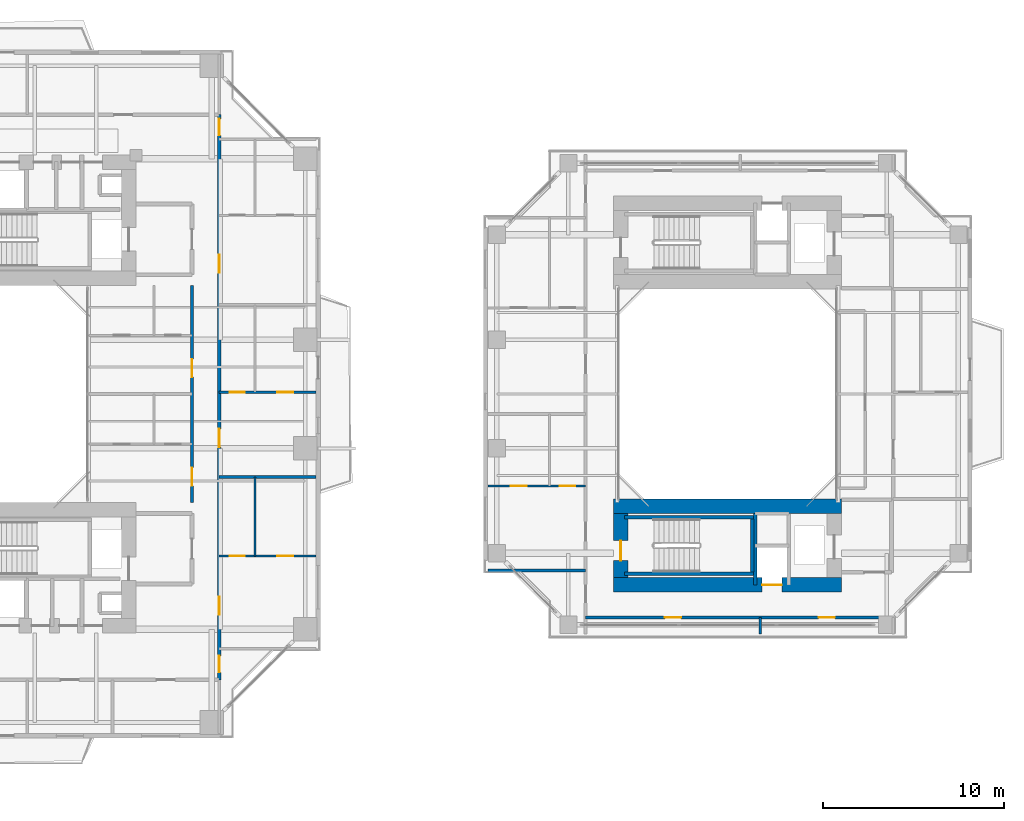
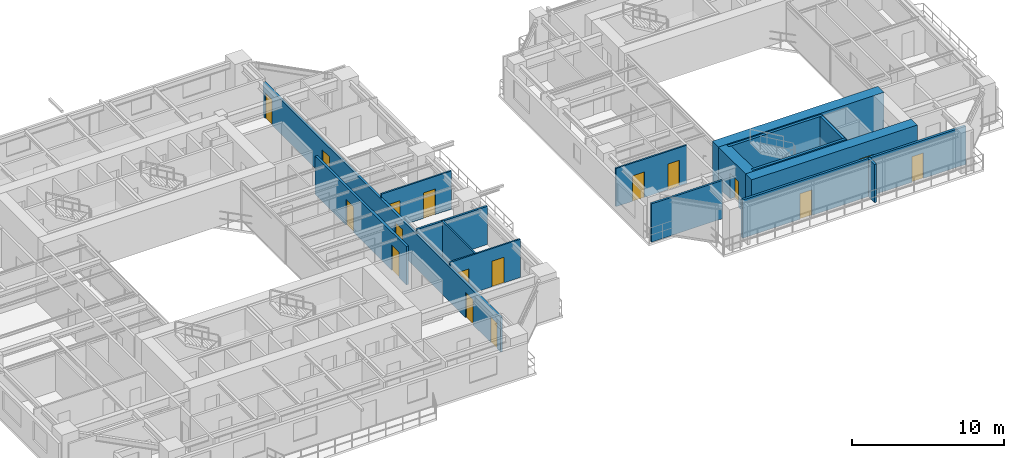
# One storey, part 14 of 22: 17 doors, 17 walls, 17 openings.
"""IFC4 building model written with IfcOpenShell, lengths in metres."""

import ifcopenshell
import ifcopenshell.guid

model = None  # the IFC model being written
_history = None  # IfcOwnerHistory: only IFC2X3 demands one
_inside = {}  # id of a spatial element -> (the spatial element, [elements in it])
_under = {}  # id of a project, library or spatial element -> (it, [spatial elements below it])
_declared = {}  # id of a project -> (the project, [libraries it declares])
_typed = {}  # id of a type object -> (the type object, [elements of that type])
_made_of = {}  # id of a material, layer set ... -> (it, [elements and type objects made of it])


def new_model(schema):
    """Start an empty IFC model of exactly this schema.

    Asked for "IFC4X3", IfcOpenShell would pick the latest addendum, in which some entities
    have other attributes; the version numbers below select the first issue.
    IFC2X3 requires an IfcOwnerHistory on every rooted entity: one is made here for all.
    """
    global model, _history
    if schema == "IFC4X3":
        model = ifcopenshell.file(schema_version=(4, 3, 0, 0))
    else:
        model = ifcopenshell.file(schema=schema)
    _inside.clear()
    _under.clear()
    _declared.clear()
    _typed.clear()
    _made_of.clear()
    _history = None
    if model.schema == "IFC2X3":
        org = make("IfcOrganization", Name="unknown")
        user = make(
            "IfcPersonAndOrganization",
            ThePerson=make("IfcPerson", FamilyName="unknown"),
            TheOrganization=org,
        )
        app = make(
            "IfcApplication",
            ApplicationDeveloper=org,
            Version="unknown",
            ApplicationFullName="unknown",
            ApplicationIdentifier="unknown",
        )
        _history = make(
            "IfcOwnerHistory",
            OwningUser=user,
            OwningApplication=app,
            ChangeAction="ADDED",
            CreationDate=0,
        )
    return model


def make(cls, **values):
    """One entity of the class cls with the attributes given. An attribute that is None is left unset."""
    return model.create_entity(
        cls, **{name: value for name, value in values.items() if value is not None}
    )


def rooted(cls, **values):
    """An entity with a GlobalId (a new one), such as an element, a storey or a relation."""
    return make(cls, GlobalId=ifcopenshell.guid.new(), OwnerHistory=_history, **values)


def si_unit(unit_type, name, prefix=None):
    """IfcSIUnit, for example si_unit("LENGTHUNIT", "METRE", prefix="MILLI")."""
    return make("IfcSIUnit", UnitType=unit_type, Prefix=prefix, Name=name)


def assignment(units):
    """IfcUnitAssignment: the units of a project."""
    return None if units is None else make("IfcUnitAssignment", Units=units)


def point(xyz):
    """IfcCartesianPoint."""
    return None if xyz is None else make("IfcCartesianPoint", Coordinates=xyz)


def direction(xyz):
    """IfcDirection."""
    return None if xyz is None else make("IfcDirection", DirectionRatios=xyz)


def frame(location, z_axis=None, x_axis=None):
    """IfcAxis2Placement3D, a coordinate frame: its origin and axes. An axis left out is left unset."""
    return make(
        "IfcAxis2Placement3D",
        Location=point(location),
        Axis=direction(z_axis),
        RefDirection=direction(x_axis),
    )


def frame_2d(location, x_axis=None):
    """IfcAxis2Placement2D, a coordinate frame in the plane: its origin and x axis."""
    return make(
        "IfcAxis2Placement2D", Location=point(location), RefDirection=direction(x_axis)
    )


def origin():
    """The frame at (0, 0, 0) with its axes left unset."""
    return frame((0.0, 0.0, 0.0))


def place(relative_to, where):
    """IfcLocalPlacement: puts the frame where relative to a parent placement (None: the world)."""
    return make(
        "IfcLocalPlacement", PlacementRelTo=relative_to, RelativePlacement=where
    )


def context(
    kind, dimensions, precision=None, world=None, true_north=None, identifier=None
):
    """IfcGeometricRepresentationContext, for example the 3D "Model" context."""
    return make(
        "IfcGeometricRepresentationContext",
        ContextIdentifier=identifier,
        ContextType=kind,
        CoordinateSpaceDimension=dimensions,
        Precision=precision,
        WorldCoordinateSystem=world,
        TrueNorth=true_north,
    )


def subcontext(parent, identifier, kind, view, scale=None):
    """IfcGeometricRepresentationSubContext, for example "Body" below "Model"."""
    return make(
        "IfcGeometricRepresentationSubContext",
        ContextIdentifier=identifier,
        ContextType=kind,
        ParentContext=parent,
        TargetScale=scale,
        TargetView=view,
    )


def project(units=None, contexts=None):
    """IfcProject with its units and contexts."""
    return rooted(
        "IfcProject",
        Name="project",
        RepresentationContexts=contexts,
        UnitsInContext=assignment(units),
    )


def spatial(cls, under=None, at=None, **own):
    """A site, building, storey or space (cls), placed at a placement, below another one or the project."""
    s = rooted(cls, ObjectPlacement=at, **own)
    if under is not None:
        _under.setdefault(under.id(), (under, []))[1].append(s)
    return s


def profile(cls, at=None, kind="AREA", **sizes):
    """A parametric profile (cls). Its sizes go by their IFC names, for example OverallWidth=200.0."""
    return make(cls, ProfileType=kind, Position=at, **sizes)


def rectangle(**sizes):
    """IfcRectangleProfileDef."""
    return profile("IfcRectangleProfileDef", **sizes)


def extrude(swept, where, along, depth):
    """IfcExtrudedAreaSolid: the profile swept, set in the frame where, extruded along a direction by depth."""
    return make(
        "IfcExtrudedAreaSolid",
        SweptArea=swept,
        Position=where,
        ExtrudedDirection=direction(along),
        Depth=depth,
    )


def shape(context_of_items, identifier, shape_type, items):
    """IfcShapeRepresentation: the items that make up one representation, for example the "Body"."""
    return make(
        "IfcShapeRepresentation",
        ContextOfItems=context_of_items,
        RepresentationIdentifier=identifier,
        RepresentationType=shape_type,
        Items=items,
    )


def source(mapping_origin, context_of_items, identifier, shape_type, items):
    """IfcRepresentationMap: a shape defined once, which mapped items show again and again."""
    return make(
        "IfcRepresentationMap",
        MappingOrigin=mapping_origin,
        MappedRepresentation=shape(context_of_items, identifier, shape_type, items),
    )


def transform(
    local_origin,
    x_axis=None,
    y_axis=None,
    z_axis=None,
    scale=None,
    scale2=None,
    scale3=None,
    uniform=True,
):
    """IfcCartesianTransformationOperator3D, or its non-uniform kind. x_axis, y_axis, z_axis: its Axis1, 2, 3."""
    if uniform:
        return make(
            "IfcCartesianTransformationOperator3D",
            Axis1=direction(x_axis),
            Axis2=direction(y_axis),
            LocalOrigin=point(local_origin),
            Scale=scale,
            Axis3=direction(z_axis),
        )
    return make(
        "IfcCartesianTransformationOperator3DnonUniform",
        Axis1=direction(x_axis),
        Axis2=direction(y_axis),
        LocalOrigin=point(local_origin),
        Scale=scale,
        Axis3=direction(z_axis),
        Scale2=scale2,
        Scale3=scale3,
    )


def mapped(mapping_source, mapping_target):
    """IfcMappedItem: shows the shape of a source again, moved by a transform."""
    return make(
        "IfcMappedItem", MappingSource=mapping_source, MappingTarget=mapping_target
    )


def material(Name=None, Category=None):
    """IfcMaterial."""
    return make("IfcMaterial", Name=Name, Category=Category)


def layer(
    of_material, thickness, ventilated=None, Name=None, Category=None, Priority=None
):
    """IfcMaterialLayer: one layer of a wall or slab, of a material (None: an air gap)."""
    return make(
        "IfcMaterialLayer",
        Material=of_material,
        LayerThickness=thickness,
        IsVentilated=ventilated,
        Name=Name,
        Category=Category,
        Priority=Priority,
    )


def layer_set(layers, Name=None):
    """IfcMaterialLayerSet."""
    return make("IfcMaterialLayerSet", MaterialLayers=layers, LayerSetName=Name)


def made_of(thing, what):
    """Note that an element or type object is made of a material, layer set ...; save() writes the relation."""
    if what is not None:
        _made_of.setdefault(what.id(), (what, []))[1].append(thing)
    return thing


def type_object(cls, material=None, **own):
    """A type object (cls), such as IfcWallType, which elements share."""
    return made_of(rooted(cls, **own), material)


def element(
    cls,
    number,
    at=None,
    inside=None,
    cuts=None,
    type_object=None,
    material=None,
    context=None,
    identifier="Body",
    shape_type=None,
    held_by="IfcProductDefinitionShape",
    body=None,
    shapes=None,
    **own,
):
    """One element of the class cls, such as IfcWall. Its Tag is "e" and its number.

    at: its placement. inside: the storey or other place that contains it. cuts: it is an
    opening in that element (IfcRelVoidsElement). A single representation is given by context,
    identifier, shape_type and body (its items); several are given by shapes. held_by: the class
    of the entity that holds the representations. save() writes the other relations.
    """
    e = rooted(cls, Tag="e%d" % number, ObjectPlacement=at, **own)
    if body is not None:
        shapes = [shape(context, identifier, shape_type, body)]
    if shapes is not None:
        e.Representation = make(held_by, Representations=shapes)
    if inside is not None:
        _inside.setdefault(inside.id(), (inside, []))[1].append(e)
    if cuts is not None:
        rooted(
            "IfcRelVoidsElement", RelatingBuildingElement=cuts, RelatedOpeningElement=e
        )
    if type_object is not None:
        _typed.setdefault(type_object.id(), (type_object, []))[1].append(e)
    return made_of(e, material)


def fill(opening, filler):
    """IfcRelFillsElement: the door or window that sits in an opening."""
    return rooted(
        "IfcRelFillsElement",
        RelatingOpeningElement=opening,
        RelatedBuildingElement=filler,
    )


def aggregate(whole, parts):
    """IfcRelAggregates: a whole, such as a stair, and the parts it consists of."""
    return rooted("IfcRelAggregates", RelatingObject=whole, RelatedObjects=parts)


def save(model, path):
    """Write the relations noted so far, then the file.

    IfcRelAggregates (storeys below a building ...), IfcRelContainedInSpatialStructure (elements
    in a storey), IfcRelDefinesByType, IfcRelAssociatesMaterial and IfcRelDeclares: one each for
    every whole, place, type object, material and project.
    """
    for whole, parts in _under.values():
        aggregate(whole, parts)
    for where, things in _inside.values():
        rooted(
            "IfcRelContainedInSpatialStructure",
            RelatedElements=things,
            RelatingStructure=where,
        )
    for kind, things in _typed.values():
        rooted("IfcRelDefinesByType", RelatedObjects=things, RelatingType=kind)
    for what, things in _made_of.values():
        rooted("IfcRelAssociatesMaterial", RelatedObjects=things, RelatingMaterial=what)
    for by, libraries in _declared.values():
        rooted("IfcRelDeclares", RelatingContext=by, RelatedDefinitions=libraries)
    model.write(path)


model = new_model("IFC4")

# Units and contexts
model_context = context("Model", 3, precision=1e-05, world=origin(), true_north=direction((0.0, 1.0)))
body_context = subcontext(model_context, "Body", "Model", "MODEL_VIEW")
ifc_project = project(units=[si_unit("LENGTHUNIT", "METRE"), si_unit("AREAUNIT", "SQUARE_METRE"), si_unit("VOLUMEUNIT", "CUBIC_METRE"), si_unit("PLANEANGLEUNIT", "RADIAN"), si_unit("MASSUNIT", "GRAM", prefix="KILO"), si_unit("THERMODYNAMICTEMPERATUREUNIT", "KELVIN"), si_unit("POWERUNIT", "WATT")], contexts=[model_context])

# Site, building, storey
site_placement = place(None, origin())
site = spatial("IfcSite", under=ifc_project, at=site_placement, CompositionType="ELEMENT")
building_placement = place(site_placement, origin())
building = spatial("IfcBuilding", under=site, at=building_placement, Name="Qiaomeng Ring Towers", CompositionType="ELEMENT")
storey_placement = place(building_placement, frame((0.0, 0.0, 53.5)))
storey = spatial("IfcBuildingStorey", under=building, at=storey_placement, Name="L14", CompositionType="ELEMENT", Elevation=53.5)

# Wall, openings, doors
ifc_material_1 = material(Name="Autoclaved aerated concrete block", Category="concrete")
ifc_layer_1 = layer(ifc_material_1, 0.179931640625, Name="Autoclaved aerated concrete block")
ifc_layer_set_1 = layer_set([ifc_layer_1], Name="Autoclaved aerated concrete block")
wall_type_1 = type_object("IfcWallType", Name="ARC-WL-PW2", PredefinedType="PARTITIONING", material=ifc_layer_set_1)
wall_1_placement = place(storey_placement, frame((32.39990234375, 7.2099609375, 0.0), z_axis=(0.0, 0.0, 1.0), x_axis=(0.0, 1.0, 0.0)))
wall_1 = element("IfcWall", 1, at=wall_1_placement, inside=storey, type_object=wall_type_1, Name="L14 Interior Wall PW2", PredefinedType="PARTITIONING", context=body_context, shape_type="SweptSolid", body=[
    extrude(rectangle(XDim=31.22998046875, YDim=0.179931640625, at=frame_2d((15.614990234375, 0.0))), origin(), (0.0, 0.0, 1.0), 2.77099609375),
])
opening_1_placement = place(wall_1_placement, frame((30.090087890625, 0.0, 0.0)))
opening_1 = element("IfcOpeningElement", 2, at=opening_1_placement, cuts=wall_1, Name="Opening ID1", PredefinedType="OPENING", context=body_context, shape_type="SweptSolid", body=[
    extrude(rectangle(XDim=0.89990234375, YDim=2.050048828125, at=frame_2d((0.449951171875, 1.02490234375))), frame((0.0, 0.099853515625, 0.0), z_axis=(0.0, -1.0, 0.0), x_axis=(1.0, 0.0, 0.0)), (0.0, 0.0, 1.0), 0.199951171875),
])
opening_2_placement = place(wall_1_placement, frame((0.4150390625, 0.0, 0.0)))
opening_2 = element("IfcOpeningElement", 3, at=opening_2_placement, cuts=wall_1, Name="Opening ID1", PredefinedType="OPENING", context=body_context, shape_type="SweptSolid", body=[
    extrude(rectangle(XDim=0.89990234375, YDim=2.050048828125, at=frame_2d((0.449951171875, 1.02490234375))), frame((0.0, 0.099853515625, 0.0), z_axis=(0.0, -1.0, 0.0), x_axis=(1.0, 0.0, 0.0)), (0.0, 0.0, 1.0), 0.199951171875),
])
opening_3_placement = place(wall_1_placement, frame((3.5849609375, 0.0, 0.0)))
opening_3 = element("IfcOpeningElement", 4, at=opening_3_placement, cuts=wall_1, Name="Opening FD4", PredefinedType="OPENING", context=body_context, shape_type="SweptSolid", body=[
    extrude(rectangle(XDim=1.0, YDim=2.050048828125, at=frame_2d((0.5, 1.02490234375))), frame((0.0, 0.099853515625, 0.0), z_axis=(0.0, -1.0, 0.0), x_axis=(1.0, 0.0, 0.0)), (0.0, 0.0, 1.0), 0.199951171875),
])
opening_4_placement = place(wall_1_placement, frame((12.860107421875, 0.0, 0.0)))
opening_4 = element("IfcOpeningElement", 5, at=opening_4_placement, cuts=wall_1, Name="Opening FD4", PredefinedType="OPENING", context=body_context, shape_type="SweptSolid", body=[
    extrude(rectangle(XDim=1.0, YDim=2.050048828125, at=frame_2d((0.5, 1.02490234375))), frame((0.0, 0.099853515625, 0.0), z_axis=(0.0, -1.0, 0.0), x_axis=(1.0, 0.0, 0.0)), (0.0, 0.0, 1.0), 0.199951171875),
])
opening_5_placement = place(wall_1_placement, frame((22.5, 0.0, 0.0)))
opening_5 = element("IfcOpeningElement", 6, at=opening_5_placement, cuts=wall_1, Name="Opening FD4", PredefinedType="OPENING", context=body_context, shape_type="SweptSolid", body=[
    extrude(rectangle(XDim=1.0, YDim=2.050048828125, at=frame_2d((0.5, 1.02490234375))), frame((0.0, 0.099853515625, 0.0), z_axis=(0.0, -1.0, 0.0), x_axis=(1.0, 0.0, 0.0)), (0.0, 0.0, 1.0), 0.199951171875),
])
ifc_material_2 = material(Name="Engineered fire-rated oak timber", Category="wood")
door_type_1 = type_object("IfcDoorType", Name="ARC-DR-FD4", OperationType="NOTDEFINED", PredefinedType="DOOR", material=ifc_material_2)
shared_shape_1 = source(origin(), body_context, "Body", "SweptSolid", [
    extrude(rectangle(XDim=1.0, YDim=2.050048828125, at=frame_2d((0.5, 1.02490234375))), frame((0.0, 0.02490234375, 0.0), z_axis=(0.0, -1.0, 0.0), x_axis=(1.0, 0.0, 0.0)), (0.0, 0.0, 1.0), 0.050048828125),
])
door_1_placement = place(opening_3_placement, origin())
door_1 = element("IfcDoor", 7, at=door_1_placement, inside=storey, type_object=door_type_1, Name="L14 Door FD4", OperationType="SINGLE_SWING_RIGHT", OverallHeight=2.050048828125, OverallWidth=1.0, PredefinedType="DOOR", context=body_context, shape_type="MappedRepresentation", body=[
    mapped(shared_shape_1, transform((0.0, 0.0, 0.0), x_axis=(1.0, 0.0, 0.0), y_axis=(0.0, 1.0, 0.0), z_axis=(0.0, 0.0, 1.0), scale=1.0)),
])
fill(opening_3, door_1)
door_2_placement = place(opening_4_placement, origin())
door_2 = element("IfcDoor", 8, at=door_2_placement, inside=storey, type_object=door_type_1, Name="L14 Door FD4", OperationType="SINGLE_SWING_LEFT", OverallHeight=2.050048828125, OverallWidth=1.0, PredefinedType="DOOR", context=body_context, shape_type="MappedRepresentation", body=[
    mapped(shared_shape_1, transform((0.0, 0.0, 0.0), x_axis=(1.0, 0.0, 0.0), y_axis=(0.0, 1.0, 0.0), z_axis=(0.0, 0.0, 1.0), scale=1.0)),
])
fill(opening_4, door_2)
door_3_placement = place(opening_5_placement, origin())
door_3 = element("IfcDoor", 9, at=door_3_placement, inside=storey, type_object=door_type_1, Name="L14 Door FD4", OperationType="SINGLE_SWING_RIGHT", OverallHeight=2.050048828125, OverallWidth=1.0, PredefinedType="DOOR", context=body_context, shape_type="MappedRepresentation", body=[
    mapped(shared_shape_1, transform((0.0, 0.0, 0.0), x_axis=(1.0, 0.0, 0.0), y_axis=(0.0, 1.0, 0.0), z_axis=(0.0, 0.0, 1.0), scale=1.0)),
])
fill(opening_5, door_3)
ifc_material_3 = material(Name="Engineered oak timber", Category="wood")
door_type_2 = type_object("IfcDoorType", Name="ARC-DR-ID1", OperationType="NOTDEFINED", PredefinedType="DOOR", material=ifc_material_3)
shared_shape_2 = source(origin(), body_context, "Body", "SweptSolid", [
    extrude(rectangle(XDim=0.89990234375, YDim=2.050048828125, at=frame_2d((0.449951171875, 1.02490234375))), frame((0.0, 0.02490234375, 0.0), z_axis=(0.0, -1.0, 0.0), x_axis=(1.0, 0.0, 0.0)), (0.0, 0.0, 1.0), 0.050048828125),
])
door_4_placement = place(opening_1_placement, origin())
door_4 = element("IfcDoor", 10, at=door_4_placement, inside=storey, type_object=door_type_2, Name="L14 Door ID1", OperationType="SINGLE_SWING_RIGHT", OverallHeight=2.050048828125, OverallWidth=0.89990234375, PredefinedType="DOOR", context=body_context, shape_type="MappedRepresentation", body=[
    mapped(shared_shape_2, transform((0.0, 0.0, 0.0), x_axis=(1.0, 0.0, 0.0), y_axis=(0.0, 1.0, 0.0), z_axis=(0.0, 0.0, 1.0), scale=1.0)),
])
fill(opening_1, door_4)
door_5_placement = place(opening_2_placement, origin())
door_5 = element("IfcDoor", 11, at=door_5_placement, inside=storey, type_object=door_type_2, Name="L14 Door ID1", OperationType="SINGLE_SWING_LEFT", OverallHeight=2.050048828125, OverallWidth=0.89990234375, PredefinedType="DOOR", context=body_context, shape_type="MappedRepresentation", body=[
    mapped(shared_shape_2, transform((0.0, 0.0, 0.0), x_axis=(1.0, 0.0, 0.0), y_axis=(0.0, 1.0, 0.0), z_axis=(0.0, 0.0, 1.0), scale=1.0)),
])
fill(opening_2, door_5)

wall_2_placement = place(storey_placement, frame((30.89990234375, 17.0, 0.0), z_axis=(0.0, 0.0, 1.0), x_axis=(0.0, 1.0, 0.0)))
wall_2 = element("IfcWall", 12, at=wall_2_placement, inside=storey, type_object=wall_type_1, Name="L14 Interior Wall PW2", PredefinedType="PARTITIONING", context=body_context, shape_type="SweptSolid", body=[
    extrude(rectangle(XDim=12.0, YDim=0.179931640625, at=frame_2d((6.0, 0.0))), origin(), (0.0, 0.0, 1.0), 3.070068359375),
])
opening_6_placement = place(wall_2_placement, frame((0.929931640625, 0.0, 0.0)))
opening_6 = element("IfcOpeningElement", 13, at=opening_6_placement, cuts=wall_2, Name="Opening FD4", PredefinedType="OPENING", context=body_context, shape_type="SweptSolid", body=[
    extrude(rectangle(XDim=1.0, YDim=2.050048828125, at=frame_2d((0.5, 1.02490234375))), frame((0.0, 0.099853515625, 0.0), z_axis=(0.0, -1.0, 0.0), x_axis=(1.0, 0.0, 0.0)), (0.0, 0.0, 1.0), 0.199951171875),
])
opening_7_placement = place(wall_2_placement, frame((6.929931640625, 0.0, 0.0)))
opening_7 = element("IfcOpeningElement", 14, at=opening_7_placement, cuts=wall_2, Name="Opening FD4", PredefinedType="OPENING", context=body_context, shape_type="SweptSolid", body=[
    extrude(rectangle(XDim=1.0, YDim=2.050048828125, at=frame_2d((0.5, 1.02490234375))), frame((0.0, 0.099853515625, 0.0), z_axis=(0.0, -1.0, 0.0), x_axis=(1.0, 0.0, 0.0)), (0.0, 0.0, 1.0), 0.199951171875),
])
door_6_placement = place(opening_6_placement, origin())
door_6 = element("IfcDoor", 15, at=door_6_placement, inside=storey, type_object=door_type_1, Name="L14 Door FD4", OperationType="SINGLE_SWING_LEFT", OverallHeight=2.050048828125, OverallWidth=1.0, PredefinedType="DOOR", context=body_context, shape_type="MappedRepresentation", body=[
    mapped(shared_shape_1, transform((0.0, 0.0, 0.0), x_axis=(1.0, 0.0, 0.0), y_axis=(0.0, 1.0, 0.0), z_axis=(0.0, 0.0, 1.0), scale=1.0)),
])
fill(opening_6, door_6)
door_7_placement = place(opening_7_placement, origin())
door_7 = element("IfcDoor", 16, at=door_7_placement, inside=storey, type_object=door_type_1, Name="L14 Door FD4", OperationType="SINGLE_SWING_RIGHT", OverallHeight=2.050048828125, OverallWidth=1.0, PredefinedType="DOOR", context=body_context, shape_type="MappedRepresentation", body=[
    mapped(shared_shape_1, transform((0.0, 0.0, 0.0), x_axis=(1.0, 0.0, 0.0), y_axis=(0.0, 1.0, 0.0), z_axis=(0.0, 0.0, 1.0), scale=1.0)),
])
fill(opening_7, door_7)

wall_3_placement = place(storey_placement, frame((52.64990234375, 10.64990234375, 0.0), z_axis=(0.0, 0.0, 1.0), x_axis=(1.0, 0.0, 0.0)))
wall_3 = element("IfcWall", 17, at=wall_3_placement, inside=storey, type_object=wall_type_1, Name="L14 Interior Wall PW2", PredefinedType="PARTITIONING", context=body_context, shape_type="SweptSolid", body=[
    extrude(rectangle(XDim=17.0, YDim=0.179931640625, at=frame_2d((8.5, 0.0))), origin(), (0.0, 0.0, 1.0), 3.070068359375),
])
opening_8_placement = place(wall_3_placement, frame((4.375, 0.0, 0.0)))
opening_8 = element("IfcOpeningElement", 18, at=opening_8_placement, cuts=wall_3, Name="Opening ID1", PredefinedType="OPENING", context=body_context, shape_type="SweptSolid", body=[
    extrude(rectangle(XDim=0.89990234375, YDim=2.050048828125, at=frame_2d((0.449951171875, 1.02490234375))), frame((0.0, 0.099853515625, 0.0), z_axis=(0.0, -1.0, 0.0), x_axis=(1.0, 0.0, 0.0)), (0.0, 0.0, 1.0), 0.199951171875),
])
opening_9_placement = place(wall_3_placement, frame((12.875, 0.0, 0.0)))
opening_9 = element("IfcOpeningElement", 19, at=opening_9_placement, cuts=wall_3, Name="Opening ID1", PredefinedType="OPENING", context=body_context, shape_type="SweptSolid", body=[
    extrude(rectangle(XDim=0.89990234375, YDim=2.050048828125, at=frame_2d((0.449951171875, 1.02490234375))), frame((0.0, 0.099853515625, 0.0), z_axis=(0.0, -1.0, 0.0), x_axis=(1.0, 0.0, 0.0)), (0.0, 0.0, 1.0), 0.199951171875),
])
door_8_placement = place(opening_8_placement, origin())
door_8 = element("IfcDoor", 20, at=door_8_placement, inside=storey, type_object=door_type_2, Name="L14 Door ID1", OperationType="SINGLE_SWING_LEFT", OverallHeight=2.050048828125, OverallWidth=0.89990234375, PredefinedType="DOOR", context=body_context, shape_type="MappedRepresentation", body=[
    mapped(shared_shape_2, transform((0.0, 0.0, 0.0), x_axis=(1.0, 0.0, 0.0), y_axis=(0.0, 1.0, 0.0), z_axis=(0.0, 0.0, 1.0), scale=1.0)),
])
fill(opening_8, door_8)
door_9_placement = place(opening_9_placement, origin())
door_9 = element("IfcDoor", 21, at=door_9_placement, inside=storey, type_object=door_type_2, Name="L14 Door ID1", OperationType="SINGLE_SWING_RIGHT", OverallHeight=2.050048828125, OverallWidth=0.89990234375, PredefinedType="DOOR", context=body_context, shape_type="MappedRepresentation", body=[
    mapped(shared_shape_2, transform((0.0, 0.0, 0.0), x_axis=(1.0, 0.0, 0.0), y_axis=(0.0, 1.0, 0.0), z_axis=(0.0, 0.0, 1.0), scale=1.0)),
])
fill(opening_9, door_9)

# Walls
ifc_material_4 = material(Name="Gypsum fireboard steel-stud partition", Category="steel")
ifc_layer_2 = layer(ifc_material_4, 0.14990234375, Name="Gypsum fireboard steel-stud partition")
ifc_layer_set_2 = layer_set([ifc_layer_2], Name="Gypsum fireboard steel-stud partition")
wall_type_2 = type_object("IfcWallType", Name="ARC-WL-PW3", PredefinedType="PARTITIONING", material=ifc_layer_set_2)
wall_4_placement = place(storey_placement, frame((32.39990234375, 18.419921875, 0.0), z_axis=(0.0, 0.0, 1.0), x_axis=(1.0, 0.0, 0.0)))
element("IfcWall", 22, at=wall_4_placement, inside=storey, type_object=wall_type_2, Name="L14 Interior Wall PW3", PredefinedType="PARTITIONING", context=body_context, shape_type="SweptSolid", body=[
    extrude(rectangle(XDim=5.35009765625, YDim=0.14990234375, at=frame_2d((2.675048828125, 0.0))), origin(), (0.0, 0.0, 1.0), 3.070068359375),
])
wall_5_placement = place(storey_placement, frame((47.25, 13.25, 0.0), z_axis=(0.0, 0.0, 1.0), x_axis=(1.0, 0.0, 0.0)))
element("IfcWall", 23, at=wall_5_placement, inside=storey, type_object=wall_type_2, Name="L14 Interior Wall PW3", PredefinedType="PARTITIONING", context=body_context, shape_type="SweptSolid", body=[
    extrude(rectangle(XDim=5.39990234375, YDim=0.14990234375, at=frame_2d((2.699951171875, 0.0))), origin(), (0.0, 0.0, 1.0), 3.070068359375),
])
wall_6_placement = place(storey_placement, frame((62.300048828125, 9.75, 0.0), z_axis=(0.0, 0.0, 1.0), x_axis=(0.0, 1.0, 0.0)))
element("IfcWall", 24, at=wall_6_placement, inside=storey, type_object=wall_type_2, Name="L14 Interior Wall PW3", PredefinedType="PARTITIONING", context=body_context, shape_type="SweptSolid", body=[
    extrude(rectangle(XDim=0.89990234375, YDim=0.14990234375, at=frame_2d((0.449951171875, 0.0))), origin(), (0.0, 0.0, 1.0), 3.070068359375),
])

# Wall, openings, doors
ifc_material_5 = material(Name="Moisture-resistant gypsum steel-stud partition", Category="steel")
ifc_layer_3 = layer(ifc_material_5, 0.1201171875, Name="Moisture-resistant gypsum steel-stud partition")
ifc_layer_set_3 = layer_set([ifc_layer_3], Name="Moisture-resistant gypsum steel-stud partition")
wall_type_3 = type_object("IfcWallType", Name="ARC-WL-PW4", PredefinedType="PLUMBINGWALL", material=ifc_layer_set_3)
wall_7_placement = place(storey_placement, frame((32.39990234375, 14.050048828125, 0.0), z_axis=(0.0, 0.0, 1.0), x_axis=(1.0, 0.0, 0.0)))
wall_7 = element("IfcWall", 25, at=wall_7_placement, inside=storey, type_object=wall_type_3, Name="L14 Interior Wall PW4", PredefinedType="PLUMBINGWALL", context=body_context, shape_type="SweptSolid", body=[
    extrude(rectangle(XDim=5.35009765625, YDim=0.1201171875, at=frame_2d((2.675048828125, 0.0))), origin(), (0.0, 0.0, 1.0), 3.070068359375),
])
opening_10_placement = place(wall_7_placement, frame((0.574951171875, 0.0, 0.0)))
opening_10 = element("IfcOpeningElement", 26, at=opening_10_placement, cuts=wall_7, Name="Opening ID2", PredefinedType="OPENING", context=body_context, shape_type="SweptSolid", body=[
    extrude(rectangle(XDim=0.85009765625, YDim=2.050048828125, at=frame_2d((0.425048828125, 1.02490234375))), frame((0.0, 0.070068359375, 0.0), z_axis=(0.0, -1.0, 0.0), x_axis=(1.0, 0.0, 0.0)), (0.0, 0.0, 1.0), 0.14013671875),
])
opening_11_placement = place(wall_7_placement, frame((3.205078125, 0.0, 0.0)))
opening_11 = element("IfcOpeningElement", 27, at=opening_11_placement, cuts=wall_7, Name="Opening ID1", PredefinedType="OPENING", context=body_context, shape_type="SweptSolid", body=[
    extrude(rectangle(XDim=0.89990234375, YDim=2.050048828125, at=frame_2d((0.449951171875, 1.02490234375))), frame((0.0, 0.070068359375, 0.0), z_axis=(0.0, -1.0, 0.0), x_axis=(1.0, 0.0, 0.0)), (0.0, 0.0, 1.0), 0.14013671875),
])
ifc_material_6 = material(Name="Moisture-resistant engineered timber", Category="wood")
door_type_3 = type_object("IfcDoorType", Name="ARC-DR-ID2", OperationType="NOTDEFINED", PredefinedType="DOOR", material=ifc_material_6)
shared_shape_3 = source(origin(), body_context, "Body", "SweptSolid", [
    extrude(rectangle(XDim=0.85009765625, YDim=2.050048828125, at=frame_2d((0.425048828125, 1.02490234375))), frame((0.0, 0.02490234375, 0.0), z_axis=(0.0, -1.0, 0.0), x_axis=(1.0, 0.0, 0.0)), (0.0, 0.0, 1.0), 0.050048828125),
])
door_10_placement = place(opening_10_placement, origin())
door_10 = element("IfcDoor", 28, at=door_10_placement, inside=storey, type_object=door_type_3, Name="L14 Door ID2", OperationType="SINGLE_SWING_RIGHT", OverallHeight=2.050048828125, OverallWidth=0.85009765625, PredefinedType="DOOR", context=body_context, shape_type="MappedRepresentation", body=[
    mapped(shared_shape_3, transform((0.0, 0.0, 0.0), x_axis=(1.0, 0.0, 0.0), y_axis=(0.0, 1.0, 0.0), z_axis=(0.0, 0.0, 1.0), scale=1.0)),
])
fill(opening_10, door_10)
door_11_placement = place(opening_11_placement, origin())
door_11 = element("IfcDoor", 29, at=door_11_placement, inside=storey, type_object=door_type_2, Name="L14 Door ID1", OperationType="SINGLE_SWING_LEFT", OverallHeight=2.050048828125, OverallWidth=0.89990234375, PredefinedType="DOOR", context=body_context, shape_type="MappedRepresentation", body=[
    mapped(shared_shape_2, transform((0.0, 0.0, 0.0), x_axis=(1.0, 0.0, 0.0), y_axis=(0.0, 1.0, 0.0), z_axis=(0.0, 0.0, 1.0), scale=1.0)),
])
fill(opening_11, door_11)

# Wall
wall_8_placement = place(storey_placement, frame((34.3798828125, 14.050048828125, 0.0), z_axis=(0.0, 0.0, 1.0), x_axis=(0.0, 1.0, 0.0)))
element("IfcWall", 30, at=wall_8_placement, inside=storey, type_object=wall_type_3, Name="L14 Interior Wall PW4", PredefinedType="PLUMBINGWALL", context=body_context, shape_type="SweptSolid", body=[
    extrude(rectangle(XDim=4.369873046875, YDim=0.1201171875, at=frame_2d((2.18505859375, 0.0))), origin(), (0.0, 0.0, 1.0), 3.070068359375),
])

# Wall, openings, doors
wall_9_placement = place(storey_placement, frame((32.39990234375, 23.10009765625, 0.0), z_axis=(0.0, 0.0, 1.0), x_axis=(1.0, 0.0, 0.0)))
wall_9 = element("IfcWall", 31, at=wall_9_placement, inside=storey, type_object=wall_type_3, Name="L14 Interior Wall PW4", PredefinedType="PLUMBINGWALL", context=body_context, shape_type="SweptSolid", body=[
    extrude(rectangle(XDim=5.35009765625, YDim=0.1201171875, at=frame_2d((2.675048828125, 0.0))), origin(), (0.0, 0.0, 1.0), 3.070068359375),
])
opening_12_placement = place(wall_9_placement, frame((0.574951171875, 0.0, 0.0)))
opening_12 = element("IfcOpeningElement", 32, at=opening_12_placement, cuts=wall_9, Name="Opening ID2", PredefinedType="OPENING", context=body_context, shape_type="SweptSolid", body=[
    extrude(rectangle(XDim=0.85009765625, YDim=2.050048828125, at=frame_2d((0.425048828125, 1.02490234375))), frame((0.0, 0.070068359375, 0.0), z_axis=(0.0, -1.0, 0.0), x_axis=(1.0, 0.0, 0.0)), (0.0, 0.0, 1.0), 0.14013671875),
])
opening_13_placement = place(wall_9_placement, frame((3.205078125, 0.0, 0.0)))
opening_13 = element("IfcOpeningElement", 33, at=opening_13_placement, cuts=wall_9, Name="Opening ID1", PredefinedType="OPENING", context=body_context, shape_type="SweptSolid", body=[
    extrude(rectangle(XDim=0.89990234375, YDim=2.050048828125, at=frame_2d((0.449951171875, 1.02490234375))), frame((0.0, 0.070068359375, 0.0), z_axis=(0.0, -1.0, 0.0), x_axis=(1.0, 0.0, 0.0)), (0.0, 0.0, 1.0), 0.14013671875),
])
door_12_placement = place(opening_12_placement, origin())
door_12 = element("IfcDoor", 34, at=door_12_placement, inside=storey, type_object=door_type_3, Name="L14 Door ID2", OperationType="SINGLE_SWING_LEFT", OverallHeight=2.050048828125, OverallWidth=0.85009765625, PredefinedType="DOOR", context=body_context, shape_type="MappedRepresentation", body=[
    mapped(shared_shape_3, transform((0.0, 0.0, 0.0), x_axis=(1.0, 0.0, 0.0), y_axis=(0.0, 1.0, 0.0), z_axis=(0.0, 0.0, 1.0), scale=1.0)),
])
fill(opening_12, door_12)
door_13_placement = place(opening_13_placement, origin())
door_13 = element("IfcDoor", 35, at=door_13_placement, inside=storey, type_object=door_type_2, Name="L14 Door ID1", OperationType="SINGLE_SWING_RIGHT", OverallHeight=2.050048828125, OverallWidth=0.89990234375, PredefinedType="DOOR", context=body_context, shape_type="MappedRepresentation", body=[
    mapped(shared_shape_2, transform((0.0, 0.0, 0.0), x_axis=(1.0, 0.0, 0.0), y_axis=(0.0, 1.0, 0.0), z_axis=(0.0, 0.0, 1.0), scale=1.0)),
])
fill(opening_13, door_13)

wall_10_placement = place(storey_placement, frame((47.25, 17.919921875, 0.0), z_axis=(0.0, 0.0, 1.0), x_axis=(1.0, 0.0, 0.0)))
wall_10 = element("IfcWall", 36, at=wall_10_placement, inside=storey, type_object=wall_type_3, Name="L14 Interior Wall PW4", PredefinedType="PLUMBINGWALL", context=body_context, shape_type="SweptSolid", body=[
    extrude(rectangle(XDim=5.39990234375, YDim=0.1201171875, at=frame_2d((2.699951171875, 0.0))), origin(), (0.0, 0.0, 1.0), 3.070068359375),
])
opening_14_placement = place(wall_10_placement, frame((1.260009765625, 0.0, 0.0)))
opening_14 = element("IfcOpeningElement", 37, at=opening_14_placement, cuts=wall_10, Name="Opening ID1", PredefinedType="OPENING", context=body_context, shape_type="SweptSolid", body=[
    extrude(rectangle(XDim=0.89990234375, YDim=2.050048828125, at=frame_2d((0.449951171875, 1.02490234375))), frame((0.0, 0.070068359375, 0.0), z_axis=(0.0, -1.0, 0.0), x_axis=(1.0, 0.0, 0.0)), (0.0, 0.0, 1.0), 0.14013671875),
])
opening_15_placement = place(wall_10_placement, frame((3.965087890625, 0.0, 0.0)))
opening_15 = element("IfcOpeningElement", 38, at=opening_15_placement, cuts=wall_10, Name="Opening ID2", PredefinedType="OPENING", context=body_context, shape_type="SweptSolid", body=[
    extrude(rectangle(XDim=0.85009765625, YDim=2.050048828125, at=frame_2d((0.425048828125, 1.02490234375))), frame((0.0, 0.070068359375, 0.0), z_axis=(0.0, -1.0, 0.0), x_axis=(1.0, 0.0, 0.0)), (0.0, 0.0, 1.0), 0.14013671875),
])
door_14_placement = place(opening_15_placement, origin())
door_14 = element("IfcDoor", 39, at=door_14_placement, inside=storey, type_object=door_type_3, Name="L14 Door ID2", OperationType="SINGLE_SWING_RIGHT", OverallHeight=2.050048828125, OverallWidth=0.85009765625, PredefinedType="DOOR", context=body_context, shape_type="MappedRepresentation", body=[
    mapped(shared_shape_3, transform((0.0, 0.0, 0.0), x_axis=(1.0, 0.0, 0.0), y_axis=(0.0, 1.0, 0.0), z_axis=(0.0, 0.0, 1.0), scale=1.0)),
])
fill(opening_15, door_14)
door_15_placement = place(opening_14_placement, origin())
door_15 = element("IfcDoor", 40, at=door_15_placement, inside=storey, type_object=door_type_2, Name="L14 Door ID1", OperationType="SINGLE_SWING_LEFT", OverallHeight=2.050048828125, OverallWidth=0.89990234375, PredefinedType="DOOR", context=body_context, shape_type="MappedRepresentation", body=[
    mapped(shared_shape_2, transform((0.0, 0.0, 0.0), x_axis=(1.0, 0.0, 0.0), y_axis=(0.0, 1.0, 0.0), z_axis=(0.0, 0.0, 1.0), scale=1.0)),
])
fill(opening_14, door_15)

# Walls
ifc_material_7 = material(Name="Concrete C40", Category="concrete")
ifc_layer_4 = layer(ifc_material_7, 0.199951171875, Name="Concrete C40")
ifc_layer_set_4 = layer_set([ifc_layer_4], Name="Concrete C40")
wall_type_4 = type_object("IfcWallType", Name="STR-WL-STSHAFT", PredefinedType="SHEAR", material=ifc_layer_set_4)
wall_11_placement = place(storey_placement, frame((62.02001953125, 12.449951171875, 0.0), z_axis=(0.0, 0.0, 1.0), x_axis=(0.0, 1.0, 0.0)))
element("IfcWall", 41, at=wall_11_placement, inside=storey, type_object=wall_type_4, Name="L14 Companion Lift Shaft West Wall S", PredefinedType="SHEAR", context=body_context, shape_type="SweptSolid", body=[
    extrude(rectangle(XDim=3.949951171875, YDim=0.179931640625, at=frame_2d((1.97509765625, 0.0))), origin(), (0.0, 0.0, 1.0), 3.070068359375),
])
for number, where, z_axis, x_axis, name in (
    (42, (54.800048828125, 13.06005859375, 0.0), (0.0, 0.0, 1.0), (1.0, 0.0, 0.0), "L14 Stair ST6 South Shaft Shear Wall"),
    (43, (54.800048828125, 16.199951171875, 0.0), (0.0, 0.0, 1.0), (1.0, 0.0, 0.0), "L14 Stair ST6 North Shaft Shear Wall"),
):
    element("IfcWall", number, at=place(storey_placement, frame(where, z_axis=z_axis, x_axis=x_axis)), inside=storey, type_object=wall_type_4, Name=name, PredefinedType="SHEAR", context=body_context, shape_type="SweptSolid", body=[
        extrude(rectangle(XDim=7.14990234375, YDim=0.199951171875, at=frame_2d((3.574951171875, 0.0))), origin(), (0.0, 0.0, 1.0), 3.25),
    ])
wall_12_placement = place(storey_placement, frame((61.85009765625, 13.159912109375, 0.0), z_axis=(0.0, 0.0, 1.0), x_axis=(0.0, 1.0, 0.0)))
element("IfcWall", 44, at=wall_12_placement, inside=storey, type_object=wall_type_4, Name="L14 Stair ST6 East Shaft Shear Wall", PredefinedType="SHEAR", context=body_context, shape_type="SweptSolid", body=[
    extrude(rectangle(XDim=2.940185546875, YDim=0.199951171875, at=frame_2d((1.47021484375, 0.0))), origin(), (0.0, 0.0, 1.0), 3.25),
])

# Wall, opening, door
ifc_material_8 = material(Name="Concrete C60", Category="concrete")
ifc_layer_5 = layer(ifc_material_8, 0.800048828125, Name="Concrete C60")
ifc_layer_set_5 = layer_set([ifc_layer_5], Name="Concrete C60")
wall_type_5 = type_object("IfcWallType", Name="STR-WL-SW1", PredefinedType="SHEAR", material=ifc_layer_set_5)
wall_13_placement = place(storey_placement, frame((54.199951171875, 12.449951171875, 0.0), z_axis=(0.0, 0.0, 1.0), x_axis=(1.0, 0.0, 0.0)))
wall_13 = element("IfcWall", 45, at=wall_13_placement, inside=storey, type_object=wall_type_5, Name="L14 T2SC south core shear wall", PredefinedType="SHEAR", context=body_context, shape_type="SweptSolid", body=[
    extrude(rectangle(XDim=12.60009765625, YDim=0.800048828125, at=frame_2d((6.300048828125, 0.0))), origin(), (0.0, 0.0, 1.0), 3.25),
])
opening_16_placement = place(wall_13_placement, frame((8.199951171875, 0.0, 0.0)))
opening_16 = element("IfcOpeningElement", 46, at=opening_16_placement, cuts=wall_13, Name="Opening LD1", PredefinedType="OPENING", context=body_context, shape_type="SweptSolid", body=[
    extrude(rectangle(XDim=1.10009765625, YDim=2.050048828125, at=frame_2d((0.550048828125, 1.02490234375))), frame((0.0, 0.409912109375, 0.0), z_axis=(0.0, -1.0, 0.0), x_axis=(1.0, 0.0, 0.0)), (0.0, 0.0, 1.0), 0.820068359375),
])
ifc_material_9 = material(Name="Stainless steel 316", Category="steel")
door_type_4 = type_object("IfcDoorType", Name="ARC-DR-LD1", OperationType="NOTDEFINED", PredefinedType="DOOR", material=ifc_material_9)
shared_shape_4 = source(origin(), body_context, "Body", "SweptSolid", [
    extrude(rectangle(XDim=1.10009765625, YDim=2.050048828125, at=frame_2d((0.550048828125, 1.02490234375))), frame((0.0, 0.02490234375, 0.0), z_axis=(0.0, -1.0, 0.0), x_axis=(1.0, 0.0, 0.0)), (0.0, 0.0, 1.0), 0.050048828125),
])
door_16_placement = place(opening_16_placement, origin())
door_16 = element("IfcDoor", 47, at=door_16_placement, inside=storey, type_object=door_type_4, Name="L14 Companion Lift LP8 Landing Door", OperationType="SLIDING_TO_RIGHT", OverallHeight=2.050048828125, OverallWidth=1.10009765625, PredefinedType="DOOR", context=body_context, shape_type="MappedRepresentation", body=[
    mapped(shared_shape_4, transform((0.0, 0.0, 0.0), x_axis=(1.0, 0.0, 0.0), y_axis=(0.0, 1.0, 0.0), z_axis=(0.0, 0.0, 1.0), scale=1.0)),
])
fill(opening_16, door_16)

# Wall
wall_14_placement = place(storey_placement, frame((54.199951171875, 16.800048828125, 0.0), z_axis=(0.0, 0.0, 1.0), x_axis=(1.0, 0.0, 0.0)))
element("IfcWall", 48, at=wall_14_placement, inside=storey, type_object=wall_type_5, Name="L14 T2SC north core shear wall", PredefinedType="SHEAR", context=body_context, shape_type="SweptSolid", body=[
    extrude(rectangle(XDim=12.60009765625, YDim=0.800048828125, at=frame_2d((6.300048828125, 0.0))), origin(), (0.0, 0.0, 1.0), 3.25),
])

# Wall, opening, door
wall_15_placement = place(storey_placement, frame((54.60009765625, 12.85009765625, 0.0), z_axis=(0.0, 0.0, 1.0), x_axis=(0.0, 1.0, 0.0)))
wall_15 = element("IfcWall", 49, at=wall_15_placement, inside=storey, type_object=wall_type_5, Name="L14 T2SC west core shear wall", PredefinedType="SHEAR", context=body_context, shape_type="SweptSolid", body=[
    extrude(rectangle(XDim=3.5498046875, YDim=0.800048828125, at=frame_2d((1.77490234375, 0.0))), origin(), (0.0, 0.0, 1.0), 3.25),
])
opening_17_placement = place(wall_15_placement, frame((0.949951171875, 0.0, 0.0)))
opening_17 = element("IfcOpeningElement", 50, at=opening_17_placement, cuts=wall_15, Name="Opening FD3", PredefinedType="OPENING", context=body_context, shape_type="SweptSolid", body=[
    extrude(rectangle(XDim=1.10009765625, YDim=2.050048828125, at=frame_2d((0.550048828125, 1.02490234375))), frame((0.0, 0.409912109375, 0.0), z_axis=(0.0, -1.0, 0.0), x_axis=(1.0, 0.0, 0.0)), (0.0, 0.0, 1.0), 0.820068359375),
])
ifc_material_10 = material(Name="Galvanised steel", Category="steel")
door_type_5 = type_object("IfcDoorType", Name="ARC-DR-FD3", OperationType="NOTDEFINED", PredefinedType="DOOR", material=ifc_material_10)
door_17_placement = place(opening_17_placement, origin())
door_17 = element("IfcDoor", 51, at=door_17_placement, inside=storey, type_object=door_type_5, Name="L14 Stair ST6 Exit Door", OperationType="SINGLE_SWING_RIGHT", OverallHeight=2.050048828125, OverallWidth=1.10009765625, PredefinedType="DOOR", context=body_context, shape_type="MappedRepresentation", body=[
    mapped(shared_shape_4, transform((0.0, 0.0, 0.0), x_axis=(1.0, 0.0, 0.0), y_axis=(0.0, 1.0, 0.0), z_axis=(0.0, 0.0, 1.0), scale=1.0)),
])
fill(opening_17, door_17)

save(model, "model.ifc")
